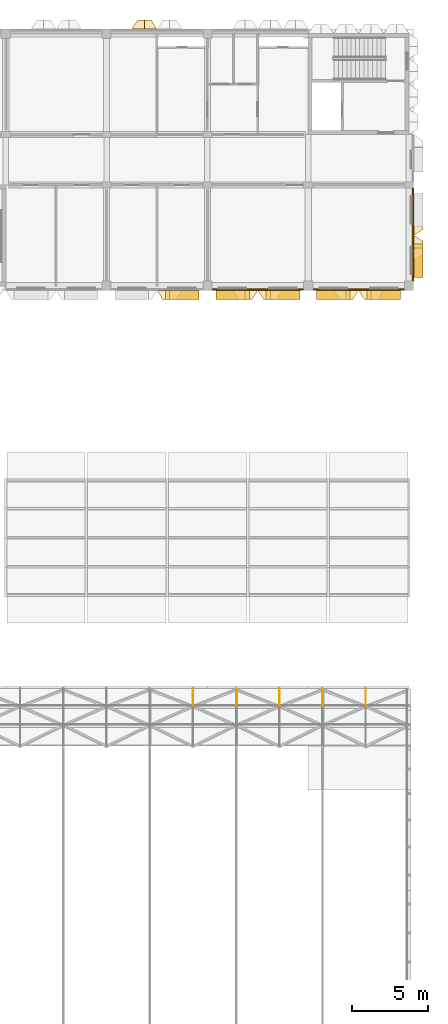
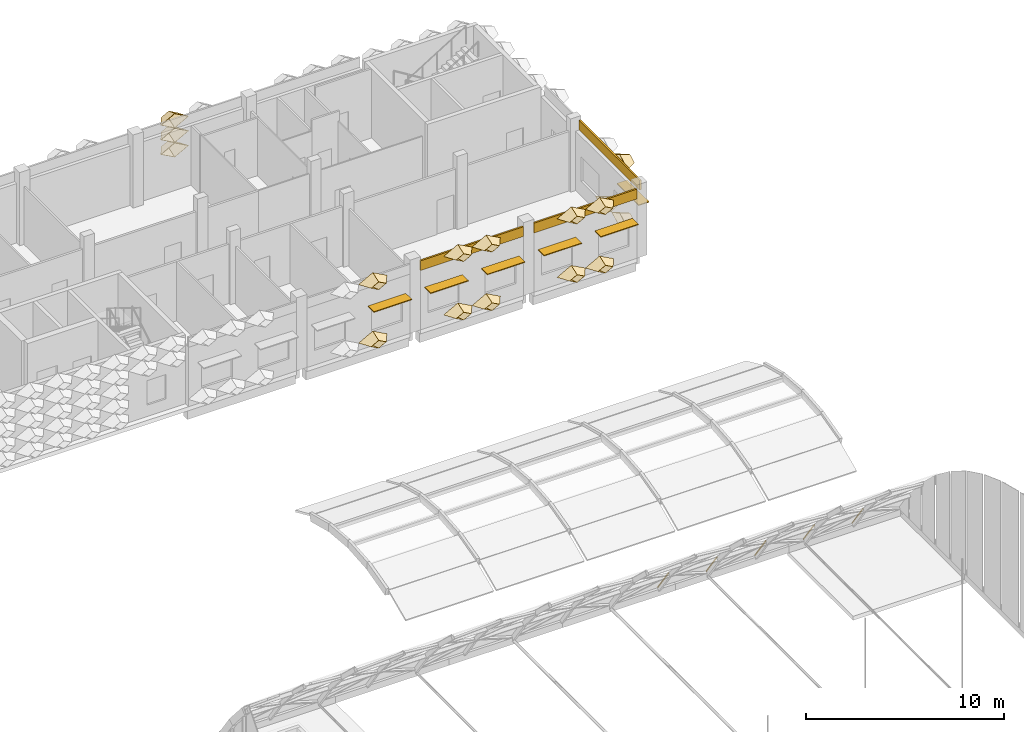
# One storey, part 96 of 109: 24 coverings, 6 shading devices.
"""IFC4 building model written with IfcOpenShell, lengths in metres."""

from ifc_helpers import new_model, entity, si_unit, direction, frame, frame_2d, origin, origin_2d, place, context, subcontext, project, spatial, rectangle, extrude, material, layer, layer_set, material_profile, profile_set, type_object, element, save


model = new_model("IFC4")

# Units and contexts
model_context = context("Model", 3, precision=1e-05, world=origin(), true_north=direction((0.0, 1.0)))
body_context = subcontext(model_context, "Body", "Model", "MODEL_VIEW")
ifc_project = project(units=[si_unit("LENGTHUNIT", "METRE"), si_unit("AREAUNIT", "SQUARE_METRE"), si_unit("VOLUMEUNIT", "CUBIC_METRE"), si_unit("PLANEANGLEUNIT", "RADIAN"), si_unit("MASSUNIT", "GRAM", prefix="KILO")], contexts=[model_context])

# Site, building, storey
site_placement = place(None, origin())
site = spatial("IfcSite", under=ifc_project, at=site_placement, CompositionType="ELEMENT")
building_placement = place(site_placement, origin())
building = spatial("IfcBuilding", under=site, at=building_placement, Name="Lantern Court Research Institute", CompositionType="ELEMENT")
storey_placement = place(building_placement, frame((0.0, 0.0, 14.39990234375)))
storey = spatial("IfcBuildingStorey", under=building, at=storey_placement, Name="L03", CompositionType="ELEMENT", Elevation=14.39990234375)

# Shading devices
ifc_material_1 = material(Name="Aluminium alloy 6063-T6", Category="aluminium")
ifc_layer_1 = layer(ifc_material_1, 0.050048828125)
ifc_layer_set_1 = layer_set([ifc_layer_1], Name="Aluminium alloy 6063-T6")
shading_device_type = type_object("IfcShadingDeviceType", Name="Brise-soleil blade 2200 x 600 x 50 aluminium", PredefinedType="USERDEFINED", material=ifc_layer_set_1)
for number, where, z_axis, x_axis, name in (
    (1, (79.800048828125, 84.14990234375, 2.5), (0.0, 0.0, 1.0), (0.0, -1.0, 0.0), "Brise-soleil blade L03 E"),
    (2, (64.35009765625, 81.89990234375, 2.5), (0.0, 0.0, 1.0), (-1.0, 0.0, 0.0), "Brise-soleil blade L03 S"),
    (3, (67.64990234375, 81.89990234375, 2.5), (0.0, 0.0, 1.0), (-1.0, 0.0, 0.0), "Brise-soleil blade L03 S"),
    (4, (70.949951171875, 81.89990234375, 2.5), (0.0, 0.0, 1.0), (-1.0, 0.0, 0.0), "Brise-soleil blade L03 S"),
    (5, (74.25, 81.89990234375, 2.5), (0.0, 0.0, 1.0), (-1.0, 0.0, 0.0), "Brise-soleil blade L03 S"),
    (6, (77.550048828125, 81.89990234375, 2.5), (0.0, 0.0, 1.0), (-1.0, 0.0, 0.0), "Brise-soleil blade L03 S"),
):
    element("IfcShadingDevice", number, at=place(storey_placement, frame(where, z_axis=z_axis, x_axis=x_axis)), inside=storey, type_object=shading_device_type, Name=name, ObjectType="LOUVRE", PredefinedType="USERDEFINED", context=body_context, shape_type="SweptSolid", body=[
        extrude(rectangle(XDim=2.199951171875, YDim=0.60009765625, at=origin_2d()), origin(), (0.0, 0.0, 1.0), 0.050048828125),
    ])

# Coverings
ifc_material_2 = material(Name="Aluminium composite panel with mineral wool insulation", Category="aluminium")
ifc_layer_2 = layer(ifc_material_2, 0.10009765625)
ifc_layer_set_2 = layer_set([ifc_layer_2], Name="Aluminium composite panel with mineral wool insulation")
covering_type_1 = type_object("IfcCoveringType", Name="Edge fascia panel 100 aluminium faced", PredefinedType="CLADDING", material=ifc_layer_set_2)
covering_1_placement = place(storey_placement, frame((79.449951171875, 88.89990234375, 3.650146484375), z_axis=(0.0, 0.0, 1.0), x_axis=(0.0, -1.0, 0.0)))
element("IfcCovering", 7, at=covering_1_placement, inside=storey, type_object=covering_type_1, Name="Edge fascia V6E L03 01", PredefinedType="CLADDING", context=body_context, shape_type="SweptSolid", body=[
    extrude(rectangle(XDim=6.099853515625, YDim=0.10009765625, at=frame_2d((3.0498046875, 0.0))), origin(), (0.0, 0.0, 1.0), 0.599853515625),
])
for number, where, z_axis, x_axis, name in (
    (8, (72.300048828125, 82.25, 3.650146484375), (0.0, 0.0, 1.0), (-1.0, 0.0, 0.0), "Edge fascia V6S L03 09"),
    (9, (78.89990234375, 82.25, 3.650146484375), (0.0, 0.0, 1.0), (-1.0, 0.0, 0.0), "Edge fascia V6S L03 10"),
):
    element("IfcCovering", number, at=place(storey_placement, frame(where, z_axis=z_axis, x_axis=x_axis)), inside=storey, type_object=covering_type_1, Name=name, PredefinedType="CLADDING", context=body_context, shape_type="SweptSolid", body=[
        extrude(rectangle(XDim=6.0, YDim=0.10009765625, at=frame_2d((3.0, 0.0))), origin(), (0.0, 0.0, 1.0), 0.599853515625),
    ])
ifc_material_3 = material(Name="Anodised aluminium", Category="aluminium")
ifc_layer_3 = layer(ifc_material_3, 0.01611328125)
ifc_layer_set_3 = layer_set([ifc_layer_3], Name="Anodised aluminium")
covering_type_2 = type_object("IfcCoveringType", Name="Fin cassette 1650 x 900 x 600 aluminium", PredefinedType="CLADDING", material=ifc_layer_set_3)
covering_2_placement = place(storey_placement, frame((79.5, 84.97509765625, 0.4501953125), z_axis=(1.0, 0.0, 0.0), x_axis=(0.0, 1.0, 0.0)))
cartesian_point_1 = entity("IfcCartesianPoint", [0.824951171875, 0.0])
cartesian_point_2 = entity("IfcCartesianPoint", [0.79150390625, 0.0])
cartesian_point_3 = entity("IfcCartesianPoint", [0.44189453125, 0.0])
cartesian_point_4 = entity("IfcCartesianPoint", [0.43359375, 0.0])
element("IfcCovering", 10, at=covering_2_placement, inside=storey, type_object=covering_type_2, Name="Fin cassette V6E-L03 1.52", PredefinedType="CLADDING", context=body_context, shape_type="SweptSolid", body=[
    entity("IfcExtrudedAreaSolidTapered", entity("IfcArbitraryProfileDefWithVoids", "AREA", None, entity("IfcPolyline", [cartesian_point_1, entity("IfcCartesianPoint", [0.0, 0.449951171875]), entity("IfcCartesianPoint", [-0.824951171875, 0.0]), entity("IfcCartesianPoint", [0.0, -0.449951171875]), cartesian_point_1]), [entity("IfcPolyline", [cartesian_point_2, entity("IfcCartesianPoint", [0.0, 0.431884765625]), entity("IfcCartesianPoint", [-0.79150390625, 0.0]), entity("IfcCartesianPoint", [0.0, -0.431884765625]), cartesian_point_2])]), entity("IfcAxis2Placement3D", entity("IfcCartesianPoint", [0.0, 0.0, 0.0])), entity("IfcDirection", [0.0, 0.0, 1.0]), 0.60009765625, entity("IfcArbitraryProfileDefWithVoids", "AREA", None, entity("IfcPolyline", [cartesian_point_3, entity("IfcCartesianPoint", [0.0, 0.240966796875]), entity("IfcCartesianPoint", [-0.44189453125, 0.0]), entity("IfcCartesianPoint", [0.0, -0.240966796875]), cartesian_point_3]), [entity("IfcPolyline", [cartesian_point_4, entity("IfcCartesianPoint", [0.0, 0.236572265625]), entity("IfcCartesianPoint", [-0.43359375, 0.0]), entity("IfcCartesianPoint", [0.0, -0.236572265625]), cartesian_point_4])])),
])
covering_3_placement = place(storey_placement, frame((79.5, 86.625, 0.4501953125), z_axis=(1.0, 0.0, 0.0), x_axis=(0.0, 1.0, 0.0)))
cartesian_point_5 = entity("IfcCartesianPoint", [0.824951171875, 0.0])
cartesian_point_6 = entity("IfcCartesianPoint", [0.79150390625, 0.0])
cartesian_point_7 = entity("IfcCartesianPoint", [0.44189453125, 0.0])
cartesian_point_8 = entity("IfcCartesianPoint", [0.43359375, 0.0])
element("IfcCovering", 11, at=covering_3_placement, inside=storey, type_object=covering_type_2, Name="Fin cassette V6E-L03 1.53", PredefinedType="CLADDING", context=body_context, shape_type="SweptSolid", body=[
    entity("IfcExtrudedAreaSolidTapered", entity("IfcArbitraryProfileDefWithVoids", "AREA", None, entity("IfcPolyline", [cartesian_point_5, entity("IfcCartesianPoint", [0.0, 0.449951171875]), entity("IfcCartesianPoint", [-0.824951171875, 0.0]), entity("IfcCartesianPoint", [0.0, -0.449951171875]), cartesian_point_5]), [entity("IfcPolyline", [cartesian_point_6, entity("IfcCartesianPoint", [0.0, 0.431884765625]), entity("IfcCartesianPoint", [-0.79150390625, 0.0]), entity("IfcCartesianPoint", [0.0, -0.431884765625]), cartesian_point_6])]), entity("IfcAxis2Placement3D", entity("IfcCartesianPoint", [0.0, 0.0, 0.0])), entity("IfcDirection", [0.0, 0.0, 1.0]), 0.60009765625, entity("IfcArbitraryProfileDefWithVoids", "AREA", None, entity("IfcPolyline", [cartesian_point_7, entity("IfcCartesianPoint", [0.0, 0.240966796875]), entity("IfcCartesianPoint", [-0.44189453125, 0.0]), entity("IfcCartesianPoint", [0.0, -0.240966796875]), cartesian_point_7]), [entity("IfcPolyline", [cartesian_point_8, entity("IfcCartesianPoint", [0.0, 0.236572265625]), entity("IfcCartesianPoint", [-0.43359375, 0.0]), entity("IfcCartesianPoint", [0.0, -0.236572265625]), cartesian_point_8])])),
])
covering_4_placement = place(storey_placement, frame((79.5, 84.97509765625, 4.050048828125), z_axis=(1.0, 0.0, 0.0), x_axis=(0.0, 1.0, 0.0)))
cartesian_point_9 = entity("IfcCartesianPoint", [0.824951171875, 0.0])
cartesian_point_10 = entity("IfcCartesianPoint", [0.79150390625, 0.0])
cartesian_point_11 = entity("IfcCartesianPoint", [0.44189453125, 0.0])
cartesian_point_12 = entity("IfcCartesianPoint", [0.43359375, 0.0])
element("IfcCovering", 12, at=covering_4_placement, inside=storey, type_object=covering_type_2, Name="Fin cassette V6E-L03 5.52", PredefinedType="CLADDING", context=body_context, shape_type="SweptSolid", body=[
    entity("IfcExtrudedAreaSolidTapered", entity("IfcArbitraryProfileDefWithVoids", "AREA", None, entity("IfcPolyline", [cartesian_point_9, entity("IfcCartesianPoint", [0.0, 0.449951171875]), entity("IfcCartesianPoint", [-0.824951171875, 0.0]), entity("IfcCartesianPoint", [0.0, -0.449951171875]), cartesian_point_9]), [entity("IfcPolyline", [cartesian_point_10, entity("IfcCartesianPoint", [0.0, 0.431884765625]), entity("IfcCartesianPoint", [-0.79150390625, 0.0]), entity("IfcCartesianPoint", [0.0, -0.431884765625]), cartesian_point_10])]), entity("IfcAxis2Placement3D", entity("IfcCartesianPoint", [0.0, 0.0, 0.0])), entity("IfcDirection", [0.0, 0.0, 1.0]), 0.60009765625, entity("IfcArbitraryProfileDefWithVoids", "AREA", None, entity("IfcPolyline", [cartesian_point_11, entity("IfcCartesianPoint", [0.0, 0.240966796875]), entity("IfcCartesianPoint", [-0.44189453125, 0.0]), entity("IfcCartesianPoint", [0.0, -0.240966796875]), cartesian_point_11]), [entity("IfcPolyline", [cartesian_point_12, entity("IfcCartesianPoint", [0.0, 0.236572265625]), entity("IfcCartesianPoint", [-0.43359375, 0.0]), entity("IfcCartesianPoint", [0.0, -0.236572265625]), cartesian_point_12])])),
])
covering_5_placement = place(storey_placement, frame((61.875, 99.300048828125, 2.25), z_axis=(0.0, 1.0, 0.0), x_axis=(-1.0, 0.0, 0.0)))
cartesian_point_13 = entity("IfcCartesianPoint", [0.824951171875, 0.0])
cartesian_point_14 = entity("IfcCartesianPoint", [0.79150390625, 0.0])
cartesian_point_15 = entity("IfcCartesianPoint", [0.44189453125, 0.0])
cartesian_point_16 = entity("IfcCartesianPoint", [0.43359375, 0.0])
element("IfcCovering", 13, at=covering_5_placement, inside=storey, type_object=covering_type_2, Name="Fin cassette V6N-L03 3.38", PredefinedType="CLADDING", context=body_context, shape_type="SweptSolid", body=[
    entity("IfcExtrudedAreaSolidTapered", entity("IfcArbitraryProfileDefWithVoids", "AREA", None, entity("IfcPolyline", [cartesian_point_13, entity("IfcCartesianPoint", [0.0, 0.449951171875]), entity("IfcCartesianPoint", [-0.824951171875, 0.0]), entity("IfcCartesianPoint", [0.0, -0.449951171875]), cartesian_point_13]), [entity("IfcPolyline", [cartesian_point_14, entity("IfcCartesianPoint", [0.0, 0.431884765625]), entity("IfcCartesianPoint", [-0.79150390625, 0.0]), entity("IfcCartesianPoint", [0.0, -0.431884765625]), cartesian_point_14])]), entity("IfcAxis2Placement3D", entity("IfcCartesianPoint", [0.0, 0.0, 0.0])), entity("IfcDirection", [0.0, 0.0, 1.0]), 0.60009765625, entity("IfcArbitraryProfileDefWithVoids", "AREA", None, entity("IfcPolyline", [cartesian_point_15, entity("IfcCartesianPoint", [0.0, 0.240966796875]), entity("IfcCartesianPoint", [-0.44189453125, 0.0]), entity("IfcCartesianPoint", [0.0, -0.240966796875]), cartesian_point_15]), [entity("IfcPolyline", [cartesian_point_16, entity("IfcCartesianPoint", [0.0, 0.236572265625]), entity("IfcCartesianPoint", [-0.43359375, 0.0]), entity("IfcCartesianPoint", [0.0, -0.236572265625]), cartesian_point_16])])),
])
covering_6_placement = place(storey_placement, frame((61.875, 99.300048828125, 3.150146484375), z_axis=(0.0, 1.0, 0.0), x_axis=(-1.0, 0.0, 0.0)))
cartesian_point_17 = entity("IfcCartesianPoint", [0.824951171875, 0.0])
cartesian_point_18 = entity("IfcCartesianPoint", [0.79150390625, 0.0])
cartesian_point_19 = entity("IfcCartesianPoint", [0.44189453125, 0.0])
cartesian_point_20 = entity("IfcCartesianPoint", [0.43359375, 0.0])
element("IfcCovering", 14, at=covering_6_placement, inside=storey, type_object=covering_type_2, Name="Fin cassette V6N-L03 4.38", PredefinedType="CLADDING", context=body_context, shape_type="SweptSolid", body=[
    entity("IfcExtrudedAreaSolidTapered", entity("IfcArbitraryProfileDefWithVoids", "AREA", None, entity("IfcPolyline", [cartesian_point_17, entity("IfcCartesianPoint", [0.0, 0.449951171875]), entity("IfcCartesianPoint", [-0.824951171875, 0.0]), entity("IfcCartesianPoint", [0.0, -0.449951171875]), cartesian_point_17]), [entity("IfcPolyline", [cartesian_point_18, entity("IfcCartesianPoint", [0.0, 0.431884765625]), entity("IfcCartesianPoint", [-0.79150390625, 0.0]), entity("IfcCartesianPoint", [0.0, -0.431884765625]), cartesian_point_18])]), entity("IfcAxis2Placement3D", entity("IfcCartesianPoint", [0.0, 0.0, 0.0])), entity("IfcDirection", [0.0, 0.0, 1.0]), 0.60009765625, entity("IfcArbitraryProfileDefWithVoids", "AREA", None, entity("IfcPolyline", [cartesian_point_19, entity("IfcCartesianPoint", [0.0, 0.240966796875]), entity("IfcCartesianPoint", [-0.44189453125, 0.0]), entity("IfcCartesianPoint", [0.0, -0.240966796875]), cartesian_point_19]), [entity("IfcPolyline", [cartesian_point_20, entity("IfcCartesianPoint", [0.0, 0.236572265625]), entity("IfcCartesianPoint", [-0.43359375, 0.0]), entity("IfcCartesianPoint", [0.0, -0.236572265625]), cartesian_point_20])])),
])
covering_7_placement = place(storey_placement, frame((61.875, 99.300048828125, 4.050048828125), z_axis=(0.0, 1.0, 0.0), x_axis=(-1.0, 0.0, 0.0)))
cartesian_point_21 = entity("IfcCartesianPoint", [0.824951171875, 0.0])
cartesian_point_22 = entity("IfcCartesianPoint", [0.79150390625, 0.0])
cartesian_point_23 = entity("IfcCartesianPoint", [0.44189453125, 0.0])
cartesian_point_24 = entity("IfcCartesianPoint", [0.43359375, 0.0])
element("IfcCovering", 15, at=covering_7_placement, inside=storey, type_object=covering_type_2, Name="Fin cassette V6N-L03 5.38", PredefinedType="CLADDING", context=body_context, shape_type="SweptSolid", body=[
    entity("IfcExtrudedAreaSolidTapered", entity("IfcArbitraryProfileDefWithVoids", "AREA", None, entity("IfcPolyline", [cartesian_point_21, entity("IfcCartesianPoint", [0.0, 0.449951171875]), entity("IfcCartesianPoint", [-0.824951171875, 0.0]), entity("IfcCartesianPoint", [0.0, -0.449951171875]), cartesian_point_21]), [entity("IfcPolyline", [cartesian_point_22, entity("IfcCartesianPoint", [0.0, 0.431884765625]), entity("IfcCartesianPoint", [-0.79150390625, 0.0]), entity("IfcCartesianPoint", [0.0, -0.431884765625]), cartesian_point_22])]), entity("IfcAxis2Placement3D", entity("IfcCartesianPoint", [0.0, 0.0, 0.0])), entity("IfcDirection", [0.0, 0.0, 1.0]), 0.60009765625, entity("IfcArbitraryProfileDefWithVoids", "AREA", None, entity("IfcPolyline", [cartesian_point_23, entity("IfcCartesianPoint", [0.0, 0.240966796875]), entity("IfcCartesianPoint", [-0.44189453125, 0.0]), entity("IfcCartesianPoint", [0.0, -0.240966796875]), cartesian_point_23]), [entity("IfcPolyline", [cartesian_point_24, entity("IfcCartesianPoint", [0.0, 0.236572265625]), entity("IfcCartesianPoint", [-0.43359375, 0.0]), entity("IfcCartesianPoint", [0.0, -0.236572265625]), cartesian_point_24])])),
])
covering_8_placement = place(storey_placement, frame((63.52490234375, 82.199951171875, 0.4501953125), z_axis=(0.0, -1.0, 0.0), x_axis=(1.0, 0.0, 0.0)))
cartesian_point_25 = entity("IfcCartesianPoint", [0.824951171875, 0.0])
cartesian_point_26 = entity("IfcCartesianPoint", [0.79150390625, 0.0])
cartesian_point_27 = entity("IfcCartesianPoint", [0.44189453125, 0.0])
cartesian_point_28 = entity("IfcCartesianPoint", [0.43359375, 0.0])
element("IfcCovering", 16, at=covering_8_placement, inside=storey, type_object=covering_type_2, Name="Fin cassette V6S-L03 1.39", PredefinedType="CLADDING", context=body_context, shape_type="SweptSolid", body=[
    entity("IfcExtrudedAreaSolidTapered", entity("IfcArbitraryProfileDefWithVoids", "AREA", None, entity("IfcPolyline", [cartesian_point_25, entity("IfcCartesianPoint", [0.0, 0.449951171875]), entity("IfcCartesianPoint", [-0.824951171875, 0.0]), entity("IfcCartesianPoint", [0.0, -0.449951171875]), cartesian_point_25]), [entity("IfcPolyline", [cartesian_point_26, entity("IfcCartesianPoint", [0.0, 0.431884765625]), entity("IfcCartesianPoint", [-0.79150390625, 0.0]), entity("IfcCartesianPoint", [0.0, -0.431884765625]), cartesian_point_26])]), entity("IfcAxis2Placement3D", entity("IfcCartesianPoint", [0.0, 0.0, 0.0])), entity("IfcDirection", [0.0, 0.0, 1.0]), 0.60009765625, entity("IfcArbitraryProfileDefWithVoids", "AREA", None, entity("IfcPolyline", [cartesian_point_27, entity("IfcCartesianPoint", [0.0, 0.240966796875]), entity("IfcCartesianPoint", [-0.44189453125, 0.0]), entity("IfcCartesianPoint", [0.0, -0.240966796875]), cartesian_point_27]), [entity("IfcPolyline", [cartesian_point_28, entity("IfcCartesianPoint", [0.0, 0.236572265625]), entity("IfcCartesianPoint", [-0.43359375, 0.0]), entity("IfcCartesianPoint", [0.0, -0.236572265625]), cartesian_point_28])])),
])
covering_9_placement = place(storey_placement, frame((68.47509765625, 82.199951171875, 0.4501953125), z_axis=(0.0, -1.0, 0.0), x_axis=(1.0, 0.0, 0.0)))
cartesian_point_29 = entity("IfcCartesianPoint", [0.824951171875, 0.0])
cartesian_point_30 = entity("IfcCartesianPoint", [0.79150390625, 0.0])
cartesian_point_31 = entity("IfcCartesianPoint", [0.44189453125, 0.0])
cartesian_point_32 = entity("IfcCartesianPoint", [0.43359375, 0.0])
element("IfcCovering", 17, at=covering_9_placement, inside=storey, type_object=covering_type_2, Name="Fin cassette V6S-L03 1.42", PredefinedType="CLADDING", context=body_context, shape_type="SweptSolid", body=[
    entity("IfcExtrudedAreaSolidTapered", entity("IfcArbitraryProfileDefWithVoids", "AREA", None, entity("IfcPolyline", [cartesian_point_29, entity("IfcCartesianPoint", [0.0, 0.449951171875]), entity("IfcCartesianPoint", [-0.824951171875, 0.0]), entity("IfcCartesianPoint", [0.0, -0.449951171875]), cartesian_point_29]), [entity("IfcPolyline", [cartesian_point_30, entity("IfcCartesianPoint", [0.0, 0.431884765625]), entity("IfcCartesianPoint", [-0.79150390625, 0.0]), entity("IfcCartesianPoint", [0.0, -0.431884765625]), cartesian_point_30])]), entity("IfcAxis2Placement3D", entity("IfcCartesianPoint", [0.0, 0.0, 0.0])), entity("IfcDirection", [0.0, 0.0, 1.0]), 0.60009765625, entity("IfcArbitraryProfileDefWithVoids", "AREA", None, entity("IfcPolyline", [cartesian_point_31, entity("IfcCartesianPoint", [0.0, 0.240966796875]), entity("IfcCartesianPoint", [-0.44189453125, 0.0]), entity("IfcCartesianPoint", [0.0, -0.240966796875]), cartesian_point_31]), [entity("IfcPolyline", [cartesian_point_32, entity("IfcCartesianPoint", [0.0, 0.236572265625]), entity("IfcCartesianPoint", [-0.43359375, 0.0]), entity("IfcCartesianPoint", [0.0, -0.236572265625]), cartesian_point_32])])),
])
covering_10_placement = place(storey_placement, frame((70.125, 82.199951171875, 0.4501953125), z_axis=(0.0, -1.0, 0.0), x_axis=(1.0, 0.0, 0.0)))
cartesian_point_33 = entity("IfcCartesianPoint", [0.824951171875, 0.0])
cartesian_point_34 = entity("IfcCartesianPoint", [0.79150390625, 0.0])
cartesian_point_35 = entity("IfcCartesianPoint", [0.44189453125, 0.0])
cartesian_point_36 = entity("IfcCartesianPoint", [0.43359375, 0.0])
element("IfcCovering", 18, at=covering_10_placement, inside=storey, type_object=covering_type_2, Name="Fin cassette V6S-L03 1.43", PredefinedType="CLADDING", context=body_context, shape_type="SweptSolid", body=[
    entity("IfcExtrudedAreaSolidTapered", entity("IfcArbitraryProfileDefWithVoids", "AREA", None, entity("IfcPolyline", [cartesian_point_33, entity("IfcCartesianPoint", [0.0, 0.449951171875]), entity("IfcCartesianPoint", [-0.824951171875, 0.0]), entity("IfcCartesianPoint", [0.0, -0.449951171875]), cartesian_point_33]), [entity("IfcPolyline", [cartesian_point_34, entity("IfcCartesianPoint", [0.0, 0.431884765625]), entity("IfcCartesianPoint", [-0.79150390625, 0.0]), entity("IfcCartesianPoint", [0.0, -0.431884765625]), cartesian_point_34])]), entity("IfcAxis2Placement3D", entity("IfcCartesianPoint", [0.0, 0.0, 0.0])), entity("IfcDirection", [0.0, 0.0, 1.0]), 0.60009765625, entity("IfcArbitraryProfileDefWithVoids", "AREA", None, entity("IfcPolyline", [cartesian_point_35, entity("IfcCartesianPoint", [0.0, 0.240966796875]), entity("IfcCartesianPoint", [-0.44189453125, 0.0]), entity("IfcCartesianPoint", [0.0, -0.240966796875]), cartesian_point_35]), [entity("IfcPolyline", [cartesian_point_36, entity("IfcCartesianPoint", [0.0, 0.236572265625]), entity("IfcCartesianPoint", [-0.43359375, 0.0]), entity("IfcCartesianPoint", [0.0, -0.236572265625]), cartesian_point_36])])),
])
covering_11_placement = place(storey_placement, frame((75.074951171875, 82.199951171875, 0.4501953125), z_axis=(0.0, -1.0, 0.0), x_axis=(1.0, 0.0, 0.0)))
cartesian_point_37 = entity("IfcCartesianPoint", [0.824951171875, 0.0])
cartesian_point_38 = entity("IfcCartesianPoint", [0.79150390625, 0.0])
cartesian_point_39 = entity("IfcCartesianPoint", [0.44189453125, 0.0])
cartesian_point_40 = entity("IfcCartesianPoint", [0.43359375, 0.0])
element("IfcCovering", 19, at=covering_11_placement, inside=storey, type_object=covering_type_2, Name="Fin cassette V6S-L03 1.46", PredefinedType="CLADDING", context=body_context, shape_type="SweptSolid", body=[
    entity("IfcExtrudedAreaSolidTapered", entity("IfcArbitraryProfileDefWithVoids", "AREA", None, entity("IfcPolyline", [cartesian_point_37, entity("IfcCartesianPoint", [0.0, 0.449951171875]), entity("IfcCartesianPoint", [-0.824951171875, 0.0]), entity("IfcCartesianPoint", [0.0, -0.449951171875]), cartesian_point_37]), [entity("IfcPolyline", [cartesian_point_38, entity("IfcCartesianPoint", [0.0, 0.431884765625]), entity("IfcCartesianPoint", [-0.79150390625, 0.0]), entity("IfcCartesianPoint", [0.0, -0.431884765625]), cartesian_point_38])]), entity("IfcAxis2Placement3D", entity("IfcCartesianPoint", [0.0, 0.0, 0.0])), entity("IfcDirection", [0.0, 0.0, 1.0]), 0.60009765625, entity("IfcArbitraryProfileDefWithVoids", "AREA", None, entity("IfcPolyline", [cartesian_point_39, entity("IfcCartesianPoint", [0.0, 0.240966796875]), entity("IfcCartesianPoint", [-0.44189453125, 0.0]), entity("IfcCartesianPoint", [0.0, -0.240966796875]), cartesian_point_39]), [entity("IfcPolyline", [cartesian_point_40, entity("IfcCartesianPoint", [0.0, 0.236572265625]), entity("IfcCartesianPoint", [-0.43359375, 0.0]), entity("IfcCartesianPoint", [0.0, -0.236572265625]), cartesian_point_40])])),
])
covering_12_placement = place(storey_placement, frame((76.72509765625, 82.199951171875, 0.4501953125), z_axis=(0.0, -1.0, 0.0), x_axis=(1.0, 0.0, 0.0)))
cartesian_point_41 = entity("IfcCartesianPoint", [0.824951171875, 0.0])
cartesian_point_42 = entity("IfcCartesianPoint", [0.79150390625, 0.0])
cartesian_point_43 = entity("IfcCartesianPoint", [0.44189453125, 0.0])
cartesian_point_44 = entity("IfcCartesianPoint", [0.43359375, 0.0])
element("IfcCovering", 20, at=covering_12_placement, inside=storey, type_object=covering_type_2, Name="Fin cassette V6S-L03 1.47", PredefinedType="CLADDING", context=body_context, shape_type="SweptSolid", body=[
    entity("IfcExtrudedAreaSolidTapered", entity("IfcArbitraryProfileDefWithVoids", "AREA", None, entity("IfcPolyline", [cartesian_point_41, entity("IfcCartesianPoint", [0.0, 0.449951171875]), entity("IfcCartesianPoint", [-0.824951171875, 0.0]), entity("IfcCartesianPoint", [0.0, -0.449951171875]), cartesian_point_41]), [entity("IfcPolyline", [cartesian_point_42, entity("IfcCartesianPoint", [0.0, 0.431884765625]), entity("IfcCartesianPoint", [-0.79150390625, 0.0]), entity("IfcCartesianPoint", [0.0, -0.431884765625]), cartesian_point_42])]), entity("IfcAxis2Placement3D", entity("IfcCartesianPoint", [0.0, 0.0, 0.0])), entity("IfcDirection", [0.0, 0.0, 1.0]), 0.60009765625, entity("IfcArbitraryProfileDefWithVoids", "AREA", None, entity("IfcPolyline", [cartesian_point_43, entity("IfcCartesianPoint", [0.0, 0.240966796875]), entity("IfcCartesianPoint", [-0.44189453125, 0.0]), entity("IfcCartesianPoint", [0.0, -0.240966796875]), cartesian_point_43]), [entity("IfcPolyline", [cartesian_point_44, entity("IfcCartesianPoint", [0.0, 0.236572265625]), entity("IfcCartesianPoint", [-0.43359375, 0.0]), entity("IfcCartesianPoint", [0.0, -0.236572265625]), cartesian_point_44])])),
])
covering_13_placement = place(storey_placement, frame((63.52490234375, 82.199951171875, 4.050048828125), z_axis=(0.0, -1.0, 0.0), x_axis=(1.0, 0.0, 0.0)))
cartesian_point_45 = entity("IfcCartesianPoint", [0.824951171875, 0.0])
cartesian_point_46 = entity("IfcCartesianPoint", [0.79150390625, 0.0])
cartesian_point_47 = entity("IfcCartesianPoint", [0.44189453125, 0.0])
cartesian_point_48 = entity("IfcCartesianPoint", [0.43359375, 0.0])
element("IfcCovering", 21, at=covering_13_placement, inside=storey, type_object=covering_type_2, Name="Fin cassette V6S-L03 5.39", PredefinedType="CLADDING", context=body_context, shape_type="SweptSolid", body=[
    entity("IfcExtrudedAreaSolidTapered", entity("IfcArbitraryProfileDefWithVoids", "AREA", None, entity("IfcPolyline", [cartesian_point_45, entity("IfcCartesianPoint", [0.0, 0.449951171875]), entity("IfcCartesianPoint", [-0.824951171875, 0.0]), entity("IfcCartesianPoint", [0.0, -0.449951171875]), cartesian_point_45]), [entity("IfcPolyline", [cartesian_point_46, entity("IfcCartesianPoint", [0.0, 0.431884765625]), entity("IfcCartesianPoint", [-0.79150390625, 0.0]), entity("IfcCartesianPoint", [0.0, -0.431884765625]), cartesian_point_46])]), entity("IfcAxis2Placement3D", entity("IfcCartesianPoint", [0.0, 0.0, 0.0])), entity("IfcDirection", [0.0, 0.0, 1.0]), 0.60009765625, entity("IfcArbitraryProfileDefWithVoids", "AREA", None, entity("IfcPolyline", [cartesian_point_47, entity("IfcCartesianPoint", [0.0, 0.240966796875]), entity("IfcCartesianPoint", [-0.44189453125, 0.0]), entity("IfcCartesianPoint", [0.0, -0.240966796875]), cartesian_point_47]), [entity("IfcPolyline", [cartesian_point_48, entity("IfcCartesianPoint", [0.0, 0.236572265625]), entity("IfcCartesianPoint", [-0.43359375, 0.0]), entity("IfcCartesianPoint", [0.0, -0.236572265625]), cartesian_point_48])])),
])
covering_14_placement = place(storey_placement, frame((68.47509765625, 82.199951171875, 4.050048828125), z_axis=(0.0, -1.0, 0.0), x_axis=(1.0, 0.0, 0.0)))
cartesian_point_49 = entity("IfcCartesianPoint", [0.824951171875, 0.0])
cartesian_point_50 = entity("IfcCartesianPoint", [0.79150390625, 0.0])
cartesian_point_51 = entity("IfcCartesianPoint", [0.44189453125, 0.0])
cartesian_point_52 = entity("IfcCartesianPoint", [0.43359375, 0.0])
element("IfcCovering", 22, at=covering_14_placement, inside=storey, type_object=covering_type_2, Name="Fin cassette V6S-L03 5.42", PredefinedType="CLADDING", context=body_context, shape_type="SweptSolid", body=[
    entity("IfcExtrudedAreaSolidTapered", entity("IfcArbitraryProfileDefWithVoids", "AREA", None, entity("IfcPolyline", [cartesian_point_49, entity("IfcCartesianPoint", [0.0, 0.449951171875]), entity("IfcCartesianPoint", [-0.824951171875, 0.0]), entity("IfcCartesianPoint", [0.0, -0.449951171875]), cartesian_point_49]), [entity("IfcPolyline", [cartesian_point_50, entity("IfcCartesianPoint", [0.0, 0.431884765625]), entity("IfcCartesianPoint", [-0.79150390625, 0.0]), entity("IfcCartesianPoint", [0.0, -0.431884765625]), cartesian_point_50])]), entity("IfcAxis2Placement3D", entity("IfcCartesianPoint", [0.0, 0.0, 0.0])), entity("IfcDirection", [0.0, 0.0, 1.0]), 0.60009765625, entity("IfcArbitraryProfileDefWithVoids", "AREA", None, entity("IfcPolyline", [cartesian_point_51, entity("IfcCartesianPoint", [0.0, 0.240966796875]), entity("IfcCartesianPoint", [-0.44189453125, 0.0]), entity("IfcCartesianPoint", [0.0, -0.240966796875]), cartesian_point_51]), [entity("IfcPolyline", [cartesian_point_52, entity("IfcCartesianPoint", [0.0, 0.236572265625]), entity("IfcCartesianPoint", [-0.43359375, 0.0]), entity("IfcCartesianPoint", [0.0, -0.236572265625]), cartesian_point_52])])),
])
covering_15_placement = place(storey_placement, frame((70.125, 82.199951171875, 4.050048828125), z_axis=(0.0, -1.0, 0.0), x_axis=(1.0, 0.0, 0.0)))
cartesian_point_53 = entity("IfcCartesianPoint", [0.824951171875, 0.0])
cartesian_point_54 = entity("IfcCartesianPoint", [0.79150390625, 0.0])
cartesian_point_55 = entity("IfcCartesianPoint", [0.44189453125, 0.0])
cartesian_point_56 = entity("IfcCartesianPoint", [0.43359375, 0.0])
element("IfcCovering", 23, at=covering_15_placement, inside=storey, type_object=covering_type_2, Name="Fin cassette V6S-L03 5.43", PredefinedType="CLADDING", context=body_context, shape_type="SweptSolid", body=[
    entity("IfcExtrudedAreaSolidTapered", entity("IfcArbitraryProfileDefWithVoids", "AREA", None, entity("IfcPolyline", [cartesian_point_53, entity("IfcCartesianPoint", [0.0, 0.449951171875]), entity("IfcCartesianPoint", [-0.824951171875, 0.0]), entity("IfcCartesianPoint", [0.0, -0.449951171875]), cartesian_point_53]), [entity("IfcPolyline", [cartesian_point_54, entity("IfcCartesianPoint", [0.0, 0.431884765625]), entity("IfcCartesianPoint", [-0.79150390625, 0.0]), entity("IfcCartesianPoint", [0.0, -0.431884765625]), cartesian_point_54])]), entity("IfcAxis2Placement3D", entity("IfcCartesianPoint", [0.0, 0.0, 0.0])), entity("IfcDirection", [0.0, 0.0, 1.0]), 0.60009765625, entity("IfcArbitraryProfileDefWithVoids", "AREA", None, entity("IfcPolyline", [cartesian_point_55, entity("IfcCartesianPoint", [0.0, 0.240966796875]), entity("IfcCartesianPoint", [-0.44189453125, 0.0]), entity("IfcCartesianPoint", [0.0, -0.240966796875]), cartesian_point_55]), [entity("IfcPolyline", [cartesian_point_56, entity("IfcCartesianPoint", [0.0, 0.236572265625]), entity("IfcCartesianPoint", [-0.43359375, 0.0]), entity("IfcCartesianPoint", [0.0, -0.236572265625]), cartesian_point_56])])),
])
covering_16_placement = place(storey_placement, frame((75.074951171875, 82.199951171875, 4.050048828125), z_axis=(0.0, -1.0, 0.0), x_axis=(1.0, 0.0, 0.0)))
cartesian_point_57 = entity("IfcCartesianPoint", [0.824951171875, 0.0])
cartesian_point_58 = entity("IfcCartesianPoint", [0.79150390625, 0.0])
cartesian_point_59 = entity("IfcCartesianPoint", [0.44189453125, 0.0])
cartesian_point_60 = entity("IfcCartesianPoint", [0.43359375, 0.0])
element("IfcCovering", 24, at=covering_16_placement, inside=storey, type_object=covering_type_2, Name="Fin cassette V6S-L03 5.46", PredefinedType="CLADDING", context=body_context, shape_type="SweptSolid", body=[
    entity("IfcExtrudedAreaSolidTapered", entity("IfcArbitraryProfileDefWithVoids", "AREA", None, entity("IfcPolyline", [cartesian_point_57, entity("IfcCartesianPoint", [0.0, 0.449951171875]), entity("IfcCartesianPoint", [-0.824951171875, 0.0]), entity("IfcCartesianPoint", [0.0, -0.449951171875]), cartesian_point_57]), [entity("IfcPolyline", [cartesian_point_58, entity("IfcCartesianPoint", [0.0, 0.431884765625]), entity("IfcCartesianPoint", [-0.79150390625, 0.0]), entity("IfcCartesianPoint", [0.0, -0.431884765625]), cartesian_point_58])]), entity("IfcAxis2Placement3D", entity("IfcCartesianPoint", [0.0, 0.0, 0.0])), entity("IfcDirection", [0.0, 0.0, 1.0]), 0.60009765625, entity("IfcArbitraryProfileDefWithVoids", "AREA", None, entity("IfcPolyline", [cartesian_point_59, entity("IfcCartesianPoint", [0.0, 0.240966796875]), entity("IfcCartesianPoint", [-0.44189453125, 0.0]), entity("IfcCartesianPoint", [0.0, -0.240966796875]), cartesian_point_59]), [entity("IfcPolyline", [cartesian_point_60, entity("IfcCartesianPoint", [0.0, 0.236572265625]), entity("IfcCartesianPoint", [-0.43359375, 0.0]), entity("IfcCartesianPoint", [0.0, -0.236572265625]), cartesian_point_60])])),
])
covering_17_placement = place(storey_placement, frame((76.72509765625, 82.199951171875, 4.050048828125), z_axis=(0.0, -1.0, 0.0), x_axis=(1.0, 0.0, 0.0)))
cartesian_point_61 = entity("IfcCartesianPoint", [0.824951171875, 0.0])
cartesian_point_62 = entity("IfcCartesianPoint", [0.79150390625, 0.0])
cartesian_point_63 = entity("IfcCartesianPoint", [0.44189453125, 0.0])
cartesian_point_64 = entity("IfcCartesianPoint", [0.43359375, 0.0])
element("IfcCovering", 25, at=covering_17_placement, inside=storey, type_object=covering_type_2, Name="Fin cassette V6S-L03 5.47", PredefinedType="CLADDING", context=body_context, shape_type="SweptSolid", body=[
    entity("IfcExtrudedAreaSolidTapered", entity("IfcArbitraryProfileDefWithVoids", "AREA", None, entity("IfcPolyline", [cartesian_point_61, entity("IfcCartesianPoint", [0.0, 0.449951171875]), entity("IfcCartesianPoint", [-0.824951171875, 0.0]), entity("IfcCartesianPoint", [0.0, -0.449951171875]), cartesian_point_61]), [entity("IfcPolyline", [cartesian_point_62, entity("IfcCartesianPoint", [0.0, 0.431884765625]), entity("IfcCartesianPoint", [-0.79150390625, 0.0]), entity("IfcCartesianPoint", [0.0, -0.431884765625]), cartesian_point_62])]), entity("IfcAxis2Placement3D", entity("IfcCartesianPoint", [0.0, 0.0, 0.0])), entity("IfcDirection", [0.0, 0.0, 1.0]), 0.60009765625, entity("IfcArbitraryProfileDefWithVoids", "AREA", None, entity("IfcPolyline", [cartesian_point_63, entity("IfcCartesianPoint", [0.0, 0.240966796875]), entity("IfcCartesianPoint", [-0.44189453125, 0.0]), entity("IfcCartesianPoint", [0.0, -0.240966796875]), cartesian_point_63]), [entity("IfcPolyline", [cartesian_point_64, entity("IfcCartesianPoint", [0.0, 0.236572265625]), entity("IfcCartesianPoint", [-0.43359375, 0.0]), entity("IfcCartesianPoint", [0.0, -0.236572265625]), cartesian_point_64])])),
])
ifc_material_4 = material(Name="Aluminium alloy 6063-T6", Category="aluminium")
ifc_material_profile = material_profile(ifc_material_4, rectangle(XDim=0.01806640625, YDim=0.052001953125, at=origin_2d()), Name="Joint cover bar 18 x 52")
ifc_profile_set = profile_set([ifc_material_profile], Name="Aluminium alloy 6063-T6")
covering_type_3 = type_object("IfcCoveringType", Name="Joint cover bar 18 x 52", PredefinedType="MOLDING", material=ifc_profile_set)
for number, where, z_axis, x_axis, name in (
    (26, (65.05712890625, 55.02490234375, 1.969970703125), (0.0, 0.576275057404, -0.817255809532), (-1.0, 0.0, 0.0), "Joint cover bar"),
    (27, (67.8857421875, 55.02490234375, 1.969970703125), (0.0, 0.576275057404, -0.817255809532), (-1.0, 0.0, 0.0), "Joint cover bar"),
    (28, (70.71435546875, 55.02490234375, 1.969970703125), (0.0, 0.576275057404, -0.817255809532), (-1.0, 0.0, 0.0), "Joint cover bar"),
    (29, (73.54296875, 55.02490234375, 1.969970703125), (0.0, 0.576275057404, -0.817255809532), (-1.0, 0.0, 0.0), "Joint cover bar"),
    (30, (76.371337890625, 55.02490234375, 1.969970703125), (0.0, 0.576275057404, -0.817255809532), (-1.0, 0.0, 0.0), "Joint cover bar"),
):
    element("IfcCovering", number, at=place(storey_placement, frame(where, z_axis=z_axis, x_axis=x_axis)), inside=storey, type_object=covering_type_3, Name=name, PredefinedType="MOLDING", context=body_context, shape_type="SweptSolid", body=[
        extrude(rectangle(XDim=0.01806640625, YDim=0.052001953125, at=origin_2d()), origin(), (0.0, 0.0, 1.0), 1.902587890625),
    ])

save(model, "model.ifc")
